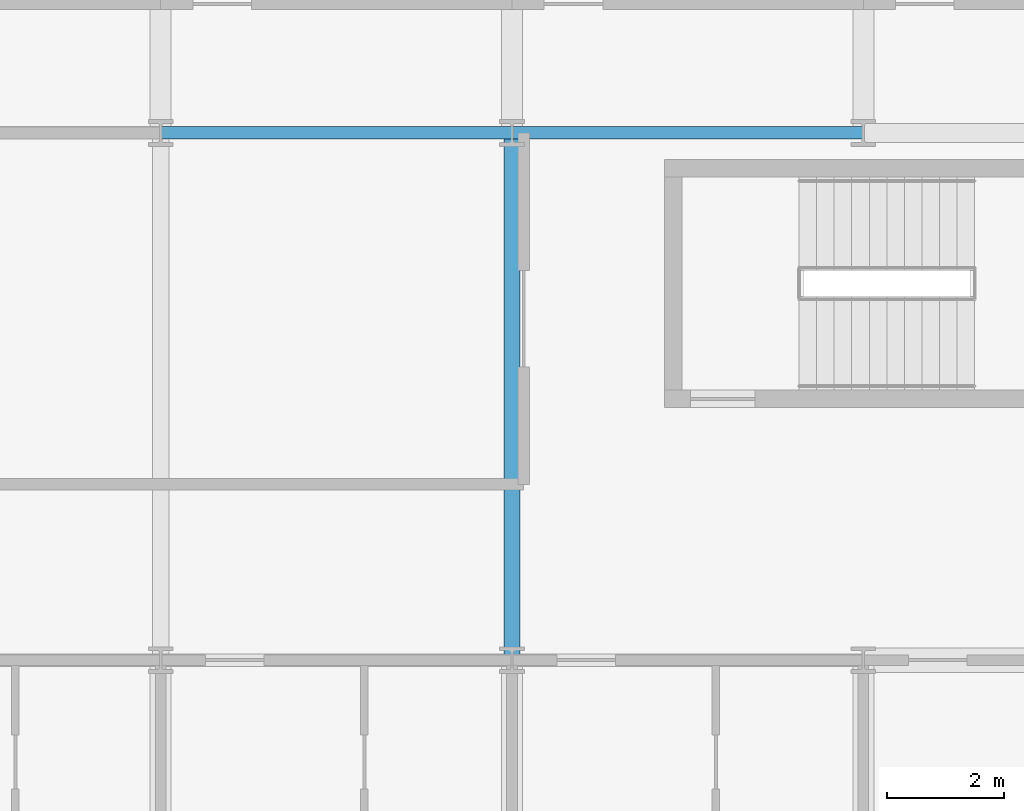
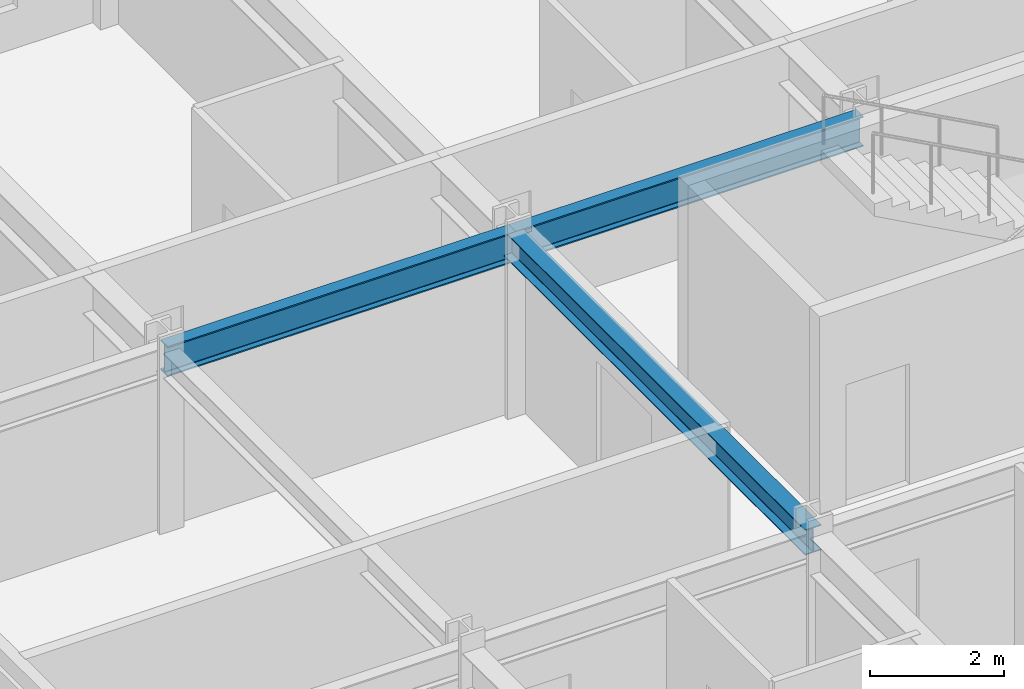
# One storey, part 7 of 26: 3 beams.
"""IFC4 building model written with IfcOpenShell, lengths in metres."""

import ifcopenshell
import ifcopenshell.guid

model = None  # the IFC model being written
_history = None  # IfcOwnerHistory: only IFC2X3 demands one
_inside = {}  # id of a spatial element -> (the spatial element, [elements in it])
_under = {}  # id of a project, library or spatial element -> (it, [spatial elements below it])
_declared = {}  # id of a project -> (the project, [libraries it declares])
_typed = {}  # id of a type object -> (the type object, [elements of that type])
_made_of = {}  # id of a material, layer set ... -> (it, [elements and type objects made of it])


def new_model(schema):
    """Start an empty IFC model of exactly this schema.

    Asked for "IFC4X3", IfcOpenShell would pick the latest addendum, in which some entities
    have other attributes; the version numbers below select the first issue.
    IFC2X3 requires an IfcOwnerHistory on every rooted entity: one is made here for all.
    """
    global model, _history
    if schema == "IFC4X3":
        model = ifcopenshell.file(schema_version=(4, 3, 0, 0))
    else:
        model = ifcopenshell.file(schema=schema)
    _inside.clear()
    _under.clear()
    _declared.clear()
    _typed.clear()
    _made_of.clear()
    _history = None
    if model.schema == "IFC2X3":
        org = make("IfcOrganization", Name="unknown")
        user = make(
            "IfcPersonAndOrganization",
            ThePerson=make("IfcPerson", FamilyName="unknown"),
            TheOrganization=org,
        )
        app = make(
            "IfcApplication",
            ApplicationDeveloper=org,
            Version="unknown",
            ApplicationFullName="unknown",
            ApplicationIdentifier="unknown",
        )
        _history = make(
            "IfcOwnerHistory",
            OwningUser=user,
            OwningApplication=app,
            ChangeAction="ADDED",
            CreationDate=0,
        )
    return model


def make(cls, **values):
    """One entity of the class cls with the attributes given. An attribute that is None is left unset."""
    return model.create_entity(
        cls, **{name: value for name, value in values.items() if value is not None}
    )


def rooted(cls, **values):
    """An entity with a GlobalId (a new one), such as an element, a storey or a relation."""
    return make(cls, GlobalId=ifcopenshell.guid.new(), OwnerHistory=_history, **values)


def si_unit(unit_type, name, prefix=None):
    """IfcSIUnit, for example si_unit("LENGTHUNIT", "METRE", prefix="MILLI")."""
    return make("IfcSIUnit", UnitType=unit_type, Prefix=prefix, Name=name)


def assignment(units):
    """IfcUnitAssignment: the units of a project."""
    return None if units is None else make("IfcUnitAssignment", Units=units)


def point(xyz):
    """IfcCartesianPoint."""
    return None if xyz is None else make("IfcCartesianPoint", Coordinates=xyz)


def direction(xyz):
    """IfcDirection."""
    return None if xyz is None else make("IfcDirection", DirectionRatios=xyz)


def frame(location, z_axis=None, x_axis=None):
    """IfcAxis2Placement3D, a coordinate frame: its origin and axes. An axis left out is left unset."""
    return make(
        "IfcAxis2Placement3D",
        Location=point(location),
        Axis=direction(z_axis),
        RefDirection=direction(x_axis),
    )


def frame_2d(location, x_axis=None):
    """IfcAxis2Placement2D, a coordinate frame in the plane: its origin and x axis."""
    return make(
        "IfcAxis2Placement2D", Location=point(location), RefDirection=direction(x_axis)
    )


def origin():
    """The frame at (0, 0, 0) with its axes left unset."""
    return frame((0.0, 0.0, 0.0))


def origin_2d():
    """The frame at (0, 0) in the plane with its x axis left unset."""
    return frame_2d((0.0, 0.0))


def place(relative_to, where):
    """IfcLocalPlacement: puts the frame where relative to a parent placement (None: the world)."""
    return make(
        "IfcLocalPlacement", PlacementRelTo=relative_to, RelativePlacement=where
    )


def context(
    kind, dimensions, precision=None, world=None, true_north=None, identifier=None
):
    """IfcGeometricRepresentationContext, for example the 3D "Model" context."""
    return make(
        "IfcGeometricRepresentationContext",
        ContextIdentifier=identifier,
        ContextType=kind,
        CoordinateSpaceDimension=dimensions,
        Precision=precision,
        WorldCoordinateSystem=world,
        TrueNorth=true_north,
    )


def subcontext(parent, identifier, kind, view, scale=None):
    """IfcGeometricRepresentationSubContext, for example "Body" below "Model"."""
    return make(
        "IfcGeometricRepresentationSubContext",
        ContextIdentifier=identifier,
        ContextType=kind,
        ParentContext=parent,
        TargetScale=scale,
        TargetView=view,
    )


def project(units=None, contexts=None):
    """IfcProject with its units and contexts."""
    return rooted(
        "IfcProject",
        Name="project",
        RepresentationContexts=contexts,
        UnitsInContext=assignment(units),
    )


def spatial(cls, under=None, at=None, **own):
    """A site, building, storey or space (cls), placed at a placement, below another one or the project."""
    s = rooted(cls, ObjectPlacement=at, **own)
    if under is not None:
        _under.setdefault(under.id(), (under, []))[1].append(s)
    return s


def profile(cls, at=None, kind="AREA", **sizes):
    """A parametric profile (cls). Its sizes go by their IFC names, for example OverallWidth=200.0."""
    return make(cls, ProfileType=kind, Position=at, **sizes)


def i_section(**sizes):
    """IfcIShapeProfileDef."""
    return profile("IfcIShapeProfileDef", **sizes)


def extrude(swept, where, along, depth):
    """IfcExtrudedAreaSolid: the profile swept, set in the frame where, extruded along a direction by depth."""
    return make(
        "IfcExtrudedAreaSolid",
        SweptArea=swept,
        Position=where,
        ExtrudedDirection=direction(along),
        Depth=depth,
    )


def shape(context_of_items, identifier, shape_type, items):
    """IfcShapeRepresentation: the items that make up one representation, for example the "Body"."""
    return make(
        "IfcShapeRepresentation",
        ContextOfItems=context_of_items,
        RepresentationIdentifier=identifier,
        RepresentationType=shape_type,
        Items=items,
    )


def material(Name=None, Category=None):
    """IfcMaterial."""
    return make("IfcMaterial", Name=Name, Category=Category)


def material_profile(
    of_material, cross_section, Name=None, Category=None, Priority=None
):
    """IfcMaterialProfile: a cross section and its material."""
    return make(
        "IfcMaterialProfile",
        Name=Name,
        Material=of_material,
        Profile=cross_section,
        Priority=Priority,
        Category=Category,
    )


def profile_set(profiles, Name=None, composite=None):
    """IfcMaterialProfileSet."""
    return make(
        "IfcMaterialProfileSet",
        Name=Name,
        MaterialProfiles=profiles,
        CompositeProfile=composite,
    )


def made_of(thing, what):
    """Note that an element or type object is made of a material, layer set ...; save() writes the relation."""
    if what is not None:
        _made_of.setdefault(what.id(), (what, []))[1].append(thing)
    return thing


def type_object(cls, material=None, **own):
    """A type object (cls), such as IfcWallType, which elements share."""
    return made_of(rooted(cls, **own), material)


def element(
    cls,
    number,
    at=None,
    inside=None,
    cuts=None,
    type_object=None,
    material=None,
    context=None,
    identifier="Body",
    shape_type=None,
    held_by="IfcProductDefinitionShape",
    body=None,
    shapes=None,
    **own,
):
    """One element of the class cls, such as IfcWall. Its Tag is "e" and its number.

    at: its placement. inside: the storey or other place that contains it. cuts: it is an
    opening in that element (IfcRelVoidsElement). A single representation is given by context,
    identifier, shape_type and body (its items); several are given by shapes. held_by: the class
    of the entity that holds the representations. save() writes the other relations.
    """
    e = rooted(cls, Tag="e%d" % number, ObjectPlacement=at, **own)
    if body is not None:
        shapes = [shape(context, identifier, shape_type, body)]
    if shapes is not None:
        e.Representation = make(held_by, Representations=shapes)
    if inside is not None:
        _inside.setdefault(inside.id(), (inside, []))[1].append(e)
    if cuts is not None:
        rooted(
            "IfcRelVoidsElement", RelatingBuildingElement=cuts, RelatedOpeningElement=e
        )
    if type_object is not None:
        _typed.setdefault(type_object.id(), (type_object, []))[1].append(e)
    return made_of(e, material)


def aggregate(whole, parts):
    """IfcRelAggregates: a whole, such as a stair, and the parts it consists of."""
    return rooted("IfcRelAggregates", RelatingObject=whole, RelatedObjects=parts)


def save(model, path):
    """Write the relations noted so far, then the file.

    IfcRelAggregates (storeys below a building ...), IfcRelContainedInSpatialStructure (elements
    in a storey), IfcRelDefinesByType, IfcRelAssociatesMaterial and IfcRelDeclares: one each for
    every whole, place, type object, material and project.
    """
    for whole, parts in _under.values():
        aggregate(whole, parts)
    for where, things in _inside.values():
        rooted(
            "IfcRelContainedInSpatialStructure",
            RelatedElements=things,
            RelatingStructure=where,
        )
    for kind, things in _typed.values():
        rooted("IfcRelDefinesByType", RelatedObjects=things, RelatingType=kind)
    for what, things in _made_of.values():
        rooted("IfcRelAssociatesMaterial", RelatedObjects=things, RelatingMaterial=what)
    for by, libraries in _declared.values():
        rooted("IfcRelDeclares", RelatingContext=by, RelatedDefinitions=libraries)
    model.write(path)


model = new_model("IFC4")

# Units and contexts
model_context = context("Model", 3, precision=1e-05, world=origin(), true_north=direction((0.0, 1.0)))
body_context = subcontext(model_context, "Body", "Model", "MODEL_VIEW")
ifc_project = project(units=[si_unit("LENGTHUNIT", "METRE"), si_unit("AREAUNIT", "SQUARE_METRE"), si_unit("VOLUMEUNIT", "CUBIC_METRE"), si_unit("PLANEANGLEUNIT", "RADIAN"), si_unit("MASSUNIT", "GRAM", prefix="KILO")], contexts=[model_context])

# Site, building, storey
site_placement = place(None, origin())
site = spatial("IfcSite", under=ifc_project, at=site_placement, CompositionType="ELEMENT")
building_placement = place(site_placement, origin())
building = spatial("IfcBuilding", under=site, at=building_placement, Name="Kaldorvane Square Convention Centre", CompositionType="ELEMENT")
storey_placement = place(building_placement, frame((0.0, 0.0, 45.600006103515625)))
storey = spatial("IfcBuildingStorey", under=building, at=storey_placement, Name="L10", CompositionType="ELEMENT", Elevation=45.600006103515625)

# Beams
ifc_material = material(Name="Steel ASTM A992 Gr. 50", Category="steel")
ifc_material_profile_1 = material_profile(ifc_material, i_section(OverallWidth=0.213897705078125, OverallDepth=0.549102783203125, WebThickness=0.0146942138671875, FlangeThickness=0.0236053466796875, FilletRadius=0.0126953125, at=origin_2d()), Name="W21X93")
ifc_profile_set_1 = profile_set([ifc_material_profile_1], Name="Steel ASTM A992 Gr. 50")
beam_type_1 = type_object("IfcBeamType", Name="BM-GR-W21X93", PredefinedType="BEAM", material=ifc_profile_set_1)
for number, where, z_axis, x_axis, name in (
    (1, (30.0, 105.0, 3.0114898681640625), (1.0, 0.0, 0.0), (0.0, 1.0, 0.0), "Primary Girder (L10)"),
    (2, (36.0, 105.0, 3.0114898681640625), (1.0, 0.0, 0.0), (0.0, 1.0, 0.0), "Primary Girder (L10)"),
):
    element("IfcBeam", number, at=place(storey_placement, frame(where, z_axis=z_axis, x_axis=x_axis)), inside=storey, type_object=beam_type_1, Name=name, PredefinedType="BEAM", context=body_context, shape_type="SweptSolid", body=[
        extrude(i_section(OverallWidth=0.213897705078125, OverallDepth=0.549102783203125, WebThickness=0.0146942138671875, FlangeThickness=0.0236053466796875, FilletRadius=0.0126953125, at=origin_2d()), origin(), (0.0, 0.0, 1.0), 6.0),
    ])
ifc_material_profile_2 = material_profile(ifc_material, i_section(OverallWidth=0.2799072265625, OverallDepth=0.462799072265625, WebThickness=0.01080322265625, FlangeThickness=0.017303466796875, FilletRadius=0.01019287109375, at=origin_2d()), Name="W18X76")
ifc_profile_set_2 = profile_set([ifc_material_profile_2], Name="Steel ASTM A992 Gr. 50")
beam_type_2 = type_object("IfcBeamType", Name="BM-JS-W18X76", PredefinedType="JOIST", material=ifc_profile_set_2)
beam_placement = place(storey_placement, frame((36.0, 96.0, 3.054595947265625), z_axis=(0.0, 1.0, 0.0), x_axis=(-1.0, 0.0, 0.0)))
element("IfcBeam", 3, at=beam_placement, inside=storey, type_object=beam_type_2, Name="Transverse Girder (L10)", PredefinedType="JOIST", context=body_context, shape_type="SweptSolid", body=[
    extrude(i_section(OverallWidth=0.2799072265625, OverallDepth=0.462799072265625, WebThickness=0.01080322265625, FlangeThickness=0.017303466796875, FilletRadius=0.01019287109375, at=origin_2d()), origin(), (0.0, 0.0, 1.0), 9.0),
])

save(model, "model.ifc")
